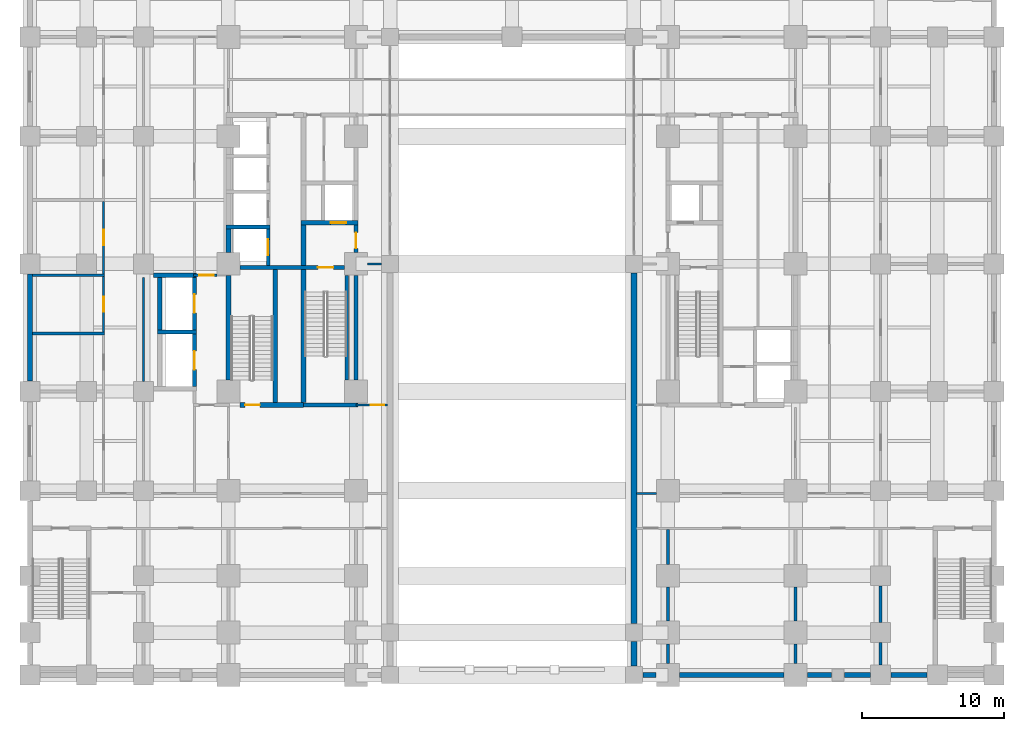
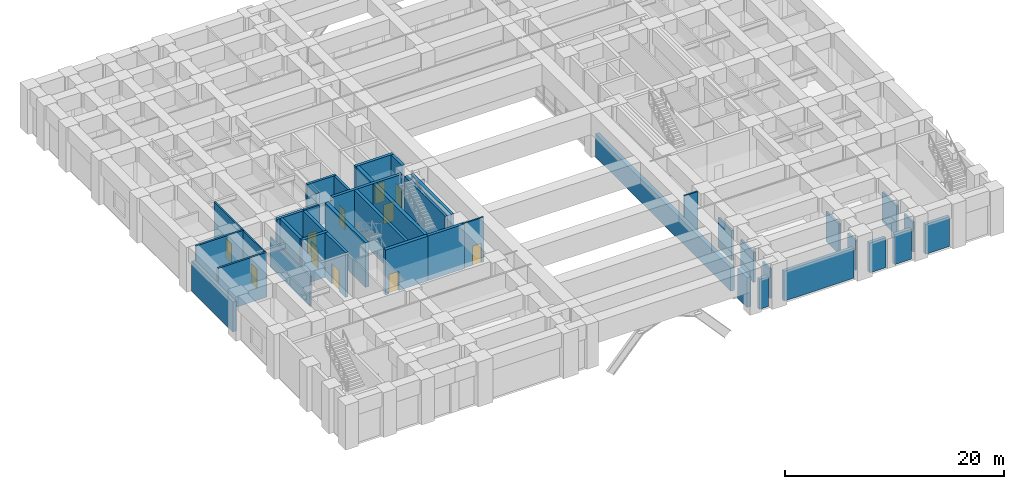
# One storey, part 12 of 24: 43 walls, 11 doors, 11 openings.
"""IFC4 building model written with IfcOpenShell, lengths in metres."""

from ifc_helpers import new_model, si_unit, direction, frame, frame_2d, origin, place, context, subcontext, project, spatial, rectangle, extrude, material, layer, layer_set, type_object, element, fill, save


model = new_model("IFC4")

# Units and contexts
model_context = context("Model", 3, precision=1e-05, world=origin(), true_north=direction((0.0, 1.0)))
body_context = subcontext(model_context, "Body", "Model", "MODEL_VIEW")
ifc_project = project(units=[si_unit("LENGTHUNIT", "METRE"), si_unit("AREAUNIT", "SQUARE_METRE"), si_unit("VOLUMEUNIT", "CUBIC_METRE"), si_unit("PLANEANGLEUNIT", "RADIAN"), si_unit("MASSUNIT", "GRAM", prefix="KILO")], contexts=[model_context])

# Site, building, storey
site_placement = place(None, origin())
site = spatial("IfcSite", under=ifc_project, at=site_placement, CompositionType="ELEMENT")
building_placement = place(site_placement, origin())
building = spatial("IfcBuilding", under=site, at=building_placement, Name="Zulmaris Gate Convention Tower", CompositionType="ELEMENT")
storey_placement = place(building_placement, frame((0.0, 0.0, 16.320068359375)))
storey = spatial("IfcBuildingStorey", under=building, at=storey_placement, Name="L03", CompositionType="ELEMENT", Elevation=16.320068359375)

# Wall
ifc_material_1 = material(Name="Concrete C50/60", Category="concrete")
ifc_layer_1 = layer(ifc_material_1, 0.25, Name="Concrete C50/60")
ifc_layer_set_1 = layer_set([ifc_layer_1], Name="Concrete C50/60")
wall_type_1 = type_object("IfcWallType", Name="CORE-250", PredefinedType="SOLIDWALL", material=ifc_layer_set_1)
wall_1_placement = place(storey_placement, frame((-20.175048828125, 2.60009765625, 0.0), z_axis=(0.0, 0.0, 1.0), x_axis=(1.0, 0.0, 0.0)))
element("IfcWall", 1, at=wall_1_placement, inside=storey, type_object=wall_type_1, Name="WL-L03-016", PredefinedType="SOLIDWALL", context=body_context, shape_type="SweptSolid", body=[
    extrude(rectangle(XDim=3.10009765625, YDim=0.25, at=frame_2d((1.550048828125, 0.0))), origin(), (0.0, 0.0, 1.0), 4.989990234375),
])

# Wall, opening, door
wall_2_placement = place(storey_placement, frame((-17.199951171875, -0.097900390625, 0.0), z_axis=(0.0, 0.0, 1.0), x_axis=(0.0, 1.0, 0.0)))
wall_2 = element("IfcWall", 2, at=wall_2_placement, inside=storey, type_object=wall_type_1, Name="WL-L03-078", PredefinedType="SOLIDWALL", context=body_context, shape_type="SweptSolid", body=[
    extrude(rectangle(XDim=2.57080078125, YDim=0.25, at=frame_2d((1.285400390625, 0.0))), origin(), (0.0, 0.0, 1.0), 4.989990234375),
])
opening_1_placement = place(wall_2_placement, frame((0.722900390625, 0.0, 0.0)))
opening_1 = element("IfcOpeningElement", 3, at=opening_1_placement, cuts=wall_2, Name="Opening D-06", PredefinedType="OPENING", context=body_context, shape_type="SweptSolid", body=[
    extrude(rectangle(XDim=1.10009765625, YDim=2.199951171875, at=frame_2d((0.550048828125, 1.10009765625))), frame((0.0, 0.135009765625, 0.0), z_axis=(0.0, -1.0, 0.0), x_axis=(1.0, 0.0, 0.0)), (0.0, 0.0, 1.0), 0.27001953125),
])
ifc_material_2 = material(Name="Brushed Stainless Steel", Category="steel")
door_type_1 = type_object("IfcDoorType", Name="LD-1100", OperationType="NOTDEFINED", PredefinedType="DOOR", material=ifc_material_2)
door_1_placement = place(opening_1_placement, origin())
door_1 = element("IfcDoor", 4, at=door_1_placement, inside=storey, type_object=door_type_1, Name="L03 Lift Landing Door LP-01 12", OperationType="SLIDING_TO_LEFT", OverallHeight=2.199951171875, OverallWidth=1.10009765625, PredefinedType="DOOR", context=body_context, shape_type="SweptSolid", body=[
    extrude(rectangle(XDim=1.10009765625, YDim=2.199951171875, at=frame_2d((0.550048828125, 1.10009765625))), frame((0.0, 0.02490234375, 0.0), z_axis=(0.0, -1.0, 0.0), x_axis=(1.0, 0.0, 0.0)), (0.0, 0.0, 1.0), 0.050048828125),
])
fill(opening_1, door_1)

# Walls
wall_3_placement = place(storey_placement, frame((-11.64990234375, -8.196044921875, 0.0), z_axis=(0.0, 0.0, 1.0), x_axis=(0.0, 1.0, 0.0)))
element("IfcWall", 5, at=wall_3_placement, inside=storey, type_object=wall_type_1, Name="WL-L03-088", PredefinedType="SOLIDWALL", context=body_context, shape_type="SweptSolid", body=[
    extrude(rectangle(XDim=7.39208984375, YDim=0.25, at=frame_2d((3.696044921875, 0.0))), origin(), (0.0, 0.0, 1.0), 4.989990234375),
])
ifc_layer_2 = layer(ifc_material_1, 0.300048828125, Name="Concrete C50/60")
ifc_layer_set_2 = layer_set([ifc_layer_2], Name="Concrete C50/60")
wall_type_2 = type_object("IfcWallType", Name="CORE-300", PredefinedType="SHEAR", material=ifc_layer_set_2)
wall_4_placement = place(storey_placement, frame((-14.699951171875, -9.949951171875, 0.0), z_axis=(0.0, 0.0, 1.0), x_axis=(1.0, 0.0, 0.0)))
element("IfcWall", 6, at=wall_4_placement, inside=storey, type_object=wall_type_2, Name="WL-L03-006", PredefinedType="SHEAR", context=body_context, shape_type="SweptSolid", body=[
    extrude(rectangle(XDim=3.849853515625, YDim=0.300048828125, at=frame_2d((1.9248046875, 0.0))), origin(), (0.0, 0.0, 1.0), 4.989990234375),
])
wall_5_placement = place(storey_placement, frame((-25.0, -4.800048828125, 0.0), z_axis=(0.0, 0.0, 1.0), x_axis=(1.0, 0.0, 0.0)))
element("IfcWall", 7, at=wall_5_placement, inside=storey, type_object=wall_type_2, Name="WL-L03-011", PredefinedType="SHEAR", context=body_context, shape_type="SweptSolid", body=[
    extrude(rectangle(XDim=2.75, YDim=0.300048828125, at=frame_2d((1.375, 0.0))), origin(), (0.0, 0.0, 1.0), 4.989990234375),
])
wall_6_placement = place(storey_placement, frame((-25.2958984375, -0.800048828125, 0.0), z_axis=(0.0, 0.0, 1.0), x_axis=(1.0, 0.0, 0.0)))
element("IfcWall", 8, at=wall_6_placement, inside=storey, type_object=wall_type_2, Name="WL-L03-013", PredefinedType="SHEAR", context=body_context, shape_type="SweptSolid", body=[
    extrude(rectangle(XDim=3.0458984375, YDim=0.300048828125, at=frame_2d((1.52294921875, 0.0))), origin(), (0.0, 0.0, 1.0), 4.989990234375),
])

# Wall, opening, door
wall_7_placement = place(storey_placement, frame((-19.196044921875, -0.25, 0.0), z_axis=(0.0, 0.0, 1.0), x_axis=(1.0, 0.0, 0.0)))
wall_7 = element("IfcWall", 9, at=wall_7_placement, inside=storey, type_object=wall_type_2, Name="WL-L03-014", PredefinedType="SHEAR", context=body_context, shape_type="SweptSolid", body=[
    extrude(rectangle(XDim=7.39208984375, YDim=0.300048828125, at=frame_2d((3.696044921875, 0.0))), origin(), (0.0, 0.0, 1.0), 4.989990234375),
])
opening_2_placement = place(wall_7_placement, frame((5.49609375, 0.0, 0.0)))
opening_2 = element("IfcOpeningElement", 10, at=opening_2_placement, cuts=wall_7, Name="Opening D-08", PredefinedType="OPENING", context=body_context, shape_type="SweptSolid", body=[
    extrude(rectangle(XDim=1.10009765625, YDim=2.14990234375, at=frame_2d((0.550048828125, 1.074951171875))), frame((0.0, 0.16015625, 0.0), z_axis=(0.0, -1.0, 0.0), x_axis=(1.0, 0.0, 0.0)), (0.0, 0.0, 1.0), 0.320068359375),
])
ifc_material_3 = material(Name="Fire-Rated Steel", Category="steel")
door_type_2 = type_object("IfcDoorType", Name="DR-1100-FD", OperationType="NOTDEFINED", PredefinedType="DOOR", material=ifc_material_3)
door_2_placement = place(opening_2_placement, origin())
door_2 = element("IfcDoor", 11, at=door_2_placement, inside=storey, type_object=door_type_2, Name="L03 Exit Stair ST-1 Door 01", OperationType="SINGLE_SWING_LEFT", OverallHeight=2.14990234375, OverallWidth=1.10009765625, PredefinedType="DOOR", context=body_context, shape_type="SweptSolid", body=[
    extrude(rectangle(XDim=1.10009765625, YDim=2.14990234375, at=frame_2d((0.550048828125, 1.074951171875))), frame((0.0, 0.02490234375, 0.0), z_axis=(0.0, -1.0, 0.0), x_axis=(1.0, 0.0, 0.0)), (0.0, 0.0, 1.0), 0.050048828125),
])
fill(opening_2, door_2)

wall_8_placement = place(storey_placement, frame((-14.875, 2.89990234375, 0.0), z_axis=(0.0, 0.0, 1.0), x_axis=(1.0, 0.0, 0.0)))
wall_8 = element("IfcWall", 12, at=wall_8_placement, inside=storey, type_object=wall_type_2, Name="WL-L03-017", PredefinedType="SHEAR", context=body_context, shape_type="SweptSolid", body=[
    extrude(rectangle(XDim=4.02490234375, YDim=0.300048828125, at=frame_2d((2.012451171875, 0.0))), origin(), (0.0, 0.0, 1.0), 4.989990234375),
])
opening_3_placement = place(wall_8_placement, frame((2.074951171875, 0.0, 0.0)))
opening_3 = element("IfcOpeningElement", 13, at=opening_3_placement, cuts=wall_8, Name="Opening D-06", PredefinedType="OPENING", context=body_context, shape_type="SweptSolid", body=[
    extrude(rectangle(XDim=1.10009765625, YDim=2.199951171875, at=frame_2d((0.550048828125, 1.10009765625))), frame((0.0, 0.16015625, 0.0), z_axis=(0.0, -1.0, 0.0), x_axis=(1.0, 0.0, 0.0)), (0.0, 0.0, 1.0), 0.320068359375),
])
door_3_placement = place(opening_3_placement, origin())
door_3 = element("IfcDoor", 14, at=door_3_placement, inside=storey, type_object=door_type_1, Name="L03 Lift Landing Door LF-01 03", OperationType="SLIDING_TO_LEFT", OverallHeight=2.199951171875, OverallWidth=1.10009765625, PredefinedType="DOOR", context=body_context, shape_type="SweptSolid", body=[
    extrude(rectangle(XDim=1.10009765625, YDim=2.199951171875, at=frame_2d((0.550048828125, 1.10009765625))), frame((0.0, 0.02490234375, 0.0), z_axis=(0.0, -1.0, 0.0), x_axis=(1.0, 0.0, 0.0)), (0.0, 0.0, 1.0), 0.050048828125),
])
fill(opening_3, door_3)

# Wall
wall_9_placement = place(storey_placement, frame((-24.85009765625, -4.64794921875, 0.0), z_axis=(0.0, 0.0, 1.0), x_axis=(0.0, 1.0, 0.0)))
element("IfcWall", 15, at=wall_9_placement, inside=storey, type_object=wall_type_2, Name="WL-L03-070", PredefinedType="SHEAR", context=body_context, shape_type="SweptSolid", body=[
    extrude(rectangle(XDim=3.696044921875, YDim=0.300048828125, at=frame_2d((1.84814453125, 0.0))), origin(), (0.0, 0.0, 1.0), 4.989990234375),
])

# Wall, opening, door
wall_10_placement = place(storey_placement, frame((-22.39990234375, -8.64794921875, 0.0), z_axis=(0.0, 0.0, 1.0), x_axis=(0.0, 1.0, 0.0)))
wall_10 = element("IfcWall", 16, at=wall_10_placement, inside=storey, type_object=wall_type_2, Name="WL-L03-071", PredefinedType="SHEAR", context=body_context, shape_type="SweptSolid", body=[
    extrude(rectangle(XDim=3.696044921875, YDim=0.300048828125, at=frame_2d((1.84814453125, 0.0))), origin(), (0.0, 0.0, 1.0), 4.989990234375),
])
opening_4_placement = place(wall_10_placement, frame((1.197998046875, 0.0, 0.0)))
opening_4 = element("IfcOpeningElement", 17, at=opening_4_placement, cuts=wall_10, Name="Opening D-07", PredefinedType="OPENING", context=body_context, shape_type="SweptSolid", body=[
    extrude(rectangle(XDim=1.300048828125, YDim=2.300048828125, at=frame_2d((0.64990234375, 1.14990234375))), frame((0.0, 0.16015625, 0.0), z_axis=(0.0, -1.0, 0.0), x_axis=(1.0, 0.0, 0.0)), (0.0, 0.0, 1.0), 0.320068359375),
])
ifc_material_4 = material(Name="Heavy-Duty Brushed Stainless Steel", Category="steel")
door_type_3 = type_object("IfcDoorType", Name="LD-1300", OperationType="NOTDEFINED", PredefinedType="DOOR", material=ifc_material_4)
door_4_placement = place(opening_4_placement, origin())
door_4 = element("IfcDoor", 18, at=door_4_placement, inside=storey, type_object=door_type_3, Name="L03 Goods Lift Door GL-01 20", OperationType="SLIDING_TO_LEFT", OverallHeight=2.300048828125, OverallWidth=1.300048828125, PredefinedType="DOOR", context=body_context, shape_type="SweptSolid", body=[
    extrude(rectangle(XDim=1.300048828125, YDim=2.300048828125, at=frame_2d((0.64990234375, 1.14990234375))), frame((0.0, 0.02490234375, 0.0), z_axis=(0.0, -1.0, 0.0), x_axis=(1.0, 0.0, 0.0)), (0.0, 0.0, 1.0), 0.050048828125),
])
fill(opening_4, door_4)

wall_11_placement = place(storey_placement, frame((-22.39990234375, -4.64794921875, 0.0), z_axis=(0.0, 0.0, 1.0), x_axis=(0.0, 1.0, 0.0)))
wall_11 = element("IfcWall", 19, at=wall_11_placement, inside=storey, type_object=wall_type_2, Name="WL-L03-072", PredefinedType="SHEAR", context=body_context, shape_type="SweptSolid", body=[
    extrude(rectangle(XDim=3.696044921875, YDim=0.300048828125, at=frame_2d((1.84814453125, 0.0))), origin(), (0.0, 0.0, 1.0), 4.989990234375),
])
opening_5_placement = place(wall_11_placement, frame((1.197998046875, 0.0, 0.0)))
opening_5 = element("IfcOpeningElement", 20, at=opening_5_placement, cuts=wall_11, Name="Opening D-07", PredefinedType="OPENING", context=body_context, shape_type="SweptSolid", body=[
    extrude(rectangle(XDim=1.300048828125, YDim=2.300048828125, at=frame_2d((0.64990234375, 1.14990234375))), frame((0.0, 0.16015625, 0.0), z_axis=(0.0, -1.0, 0.0), x_axis=(1.0, 0.0, 0.0)), (0.0, 0.0, 1.0), 0.320068359375),
])
door_5_placement = place(opening_5_placement, origin())
door_5 = element("IfcDoor", 21, at=door_5_placement, inside=storey, type_object=door_type_3, Name="L03 Goods Lift Door GL-02 21", OperationType="SLIDING_TO_LEFT", OverallHeight=2.300048828125, OverallWidth=1.300048828125, PredefinedType="DOOR", context=body_context, shape_type="SweptSolid", body=[
    extrude(rectangle(XDim=1.300048828125, YDim=2.300048828125, at=frame_2d((0.64990234375, 1.14990234375))), frame((0.0, 0.02490234375, 0.0), z_axis=(0.0, -1.0, 0.0), x_axis=(1.0, 0.0, 0.0)), (0.0, 0.0, 1.0), 0.050048828125),
])
fill(opening_5, door_5)

# Walls
wall_12_placement = place(storey_placement, frame((-16.699951171875, -9.77294921875, 0.0), z_axis=(0.0, 0.0, 1.0), x_axis=(0.0, 1.0, 0.0)))
element("IfcWall", 22, at=wall_12_placement, inside=storey, type_object=wall_type_2, Name="WL-L03-082", PredefinedType="SHEAR", context=body_context, shape_type="SweptSolid", body=[
    extrude(rectangle(XDim=9.370849609375, YDim=0.300048828125, at=frame_2d((4.685546875, 0.0))), origin(), (0.0, 0.0, 1.0), 4.989990234375),
])
wall_13_placement = place(storey_placement, frame((-11.0, -8.196044921875, 0.0), z_axis=(0.0, 0.0, 1.0), x_axis=(0.0, 1.0, 0.0)))
element("IfcWall", 23, at=wall_13_placement, inside=storey, type_object=wall_type_2, Name="WL-L03-089", PredefinedType="SHEAR", context=body_context, shape_type="SweptSolid", body=[
    extrude(rectangle(XDim=7.39208984375, YDim=0.300048828125, at=frame_2d((3.696044921875, 0.0))), origin(), (0.0, 0.0, 1.0), 4.989990234375),
])

# Wall, opening, door
wall_14_placement = place(storey_placement, frame((-11.0, 0.803955078125, 0.0), z_axis=(0.0, 0.0, 1.0), x_axis=(0.0, 1.0, 0.0)))
wall_14 = element("IfcWall", 24, at=wall_14_placement, inside=storey, type_object=wall_type_2, Name="WL-L03-090", PredefinedType="SHEAR", context=body_context, shape_type="SweptSolid", body=[
    extrude(rectangle(XDim=1.944091796875, YDim=0.300048828125, at=frame_2d((0.97216796875, 0.0))), origin(), (0.0, 0.0, 1.0), 4.989990234375),
])
opening_6_placement = place(wall_14_placement, frame((0.2958984375, 0.0, 0.0)))
opening_6 = element("IfcOpeningElement", 25, at=opening_6_placement, cuts=wall_14, Name="Opening D-08", PredefinedType="OPENING", context=body_context, shape_type="SweptSolid", body=[
    extrude(rectangle(XDim=1.10009765625, YDim=2.14990234375, at=frame_2d((0.550048828125, 1.074951171875))), frame((0.0, 0.16015625, 0.0), z_axis=(0.0, -1.0, 0.0), x_axis=(1.0, 0.0, 0.0)), (0.0, 0.0, 1.0), 0.320068359375),
])
door_6_placement = place(opening_6_placement, origin())
door_6 = element("IfcDoor", 26, at=door_6_placement, inside=storey, type_object=door_type_2, Name="L03 West Firefighting Lobby Door 02", OperationType="SINGLE_SWING_RIGHT", OverallHeight=2.14990234375, OverallWidth=1.10009765625, PredefinedType="DOOR", context=body_context, shape_type="SweptSolid", body=[
    extrude(rectangle(XDim=1.10009765625, YDim=2.14990234375, at=frame_2d((0.550048828125, 1.074951171875))), frame((0.0, 0.02490234375, 0.0), z_axis=(0.0, -1.0, 0.0), x_axis=(1.0, 0.0, 0.0)), (0.0, 0.0, 1.0), 0.050048828125),
])
fill(opening_6, door_6)

ifc_material_5 = material(Name="Concrete C55/67", Category="concrete")
ifc_layer_3 = layer(ifc_material_5, 0.35009765625, Name="Concrete C55/67")
ifc_layer_set_3 = layer_set([ifc_layer_3], Name="Concrete C55/67")
wall_type_3 = type_object("IfcWallType", Name="CORE-350", PredefinedType="SHEAR", material=ifc_layer_set_3)
wall_15_placement = place(storey_placement, frame((-19.196044921875, -9.949951171875, 0.0), z_axis=(0.0, 0.0, 1.0), x_axis=(1.0, 0.0, 0.0)))
wall_15 = element("IfcWall", 27, at=wall_15_placement, inside=storey, type_object=wall_type_3, Name="WL-L03-005", PredefinedType="SHEAR", context=body_context, shape_type="SweptSolid", body=[
    extrude(rectangle(XDim=4.49609375, YDim=0.35009765625, at=frame_2d((2.248046875, 0.0))), origin(), (0.0, 0.0, 1.0), 4.989990234375),
])
opening_7_placement = place(wall_15_placement, frame((0.37109375, 0.0, 0.0)))
opening_7 = element("IfcOpeningElement", 28, at=opening_7_placement, cuts=wall_15, Name="Opening D-09", PredefinedType="OPENING", context=body_context, shape_type="SweptSolid", body=[
    extrude(rectangle(XDim=1.050048828125, YDim=2.14990234375, at=frame_2d((0.52490234375, 1.074951171875))), frame((0.0, 0.18505859375, 0.0), z_axis=(0.0, -1.0, 0.0), x_axis=(1.0, 0.0, 0.0)), (0.0, 0.0, 1.0), 0.3701171875),
])
door_type_4 = type_object("IfcDoorType", Name="DR-1050-FD", OperationType="NOTDEFINED", PredefinedType="DOOR", material=ifc_material_3)
door_7_placement = place(opening_7_placement, origin())
door_7 = element("IfcDoor", 29, at=door_7_placement, inside=storey, type_object=door_type_4, Name="L03 Exit Stair ST-3 Door 10", OperationType="SINGLE_SWING_RIGHT", OverallHeight=2.14990234375, OverallWidth=1.050048828125, PredefinedType="DOOR", context=body_context, shape_type="SweptSolid", body=[
    extrude(rectangle(XDim=1.050048828125, YDim=2.14990234375, at=frame_2d((0.52490234375, 1.074951171875))), frame((0.0, 0.02490234375, 0.0), z_axis=(0.0, -1.0, 0.0), x_axis=(1.0, 0.0, 0.0)), (0.0, 0.0, 1.0), 0.050048828125),
])
fill(opening_7, door_7)

# Walls
wall_16_placement = place(storey_placement, frame((-20.0, -8.196044921875, 0.0), z_axis=(0.0, 0.0, 1.0), x_axis=(0.0, 1.0, 0.0)))
element("IfcWall", 30, at=wall_16_placement, inside=storey, type_object=wall_type_3, Name="WL-L03-073", PredefinedType="SHEAR", context=body_context, shape_type="SweptSolid", body=[
    extrude(rectangle(XDim=7.39208984375, YDim=0.35009765625, at=frame_2d((3.696044921875, 0.0))), origin(), (0.0, 0.0, 1.0), 4.989990234375),
])
wall_17_placement = place(storey_placement, frame((-20.0, 0.803955078125, 0.0), z_axis=(0.0, 0.0, 1.0), x_axis=(0.0, 1.0, 0.0)))
element("IfcWall", 31, at=wall_17_placement, inside=storey, type_object=wall_type_3, Name="WL-L03-074", PredefinedType="SHEAR", context=body_context, shape_type="SweptSolid", body=[
    extrude(rectangle(XDim=1.6689453125, YDim=0.35009765625, at=frame_2d((0.83447265625, 0.0))), origin(), (0.0, 0.0, 1.0), 4.989990234375),
])
wall_18_placement = place(storey_placement, frame((-14.699951171875, -9.77294921875, 0.0), z_axis=(0.0, 0.0, 1.0), x_axis=(0.0, 1.0, 0.0)))
element("IfcWall", 32, at=wall_18_placement, inside=storey, type_object=wall_type_3, Name="WL-L03-083", PredefinedType="SHEAR", context=body_context, shape_type="SweptSolid", body=[
    extrude(rectangle(XDim=9.370849609375, YDim=0.35009765625, at=frame_2d((4.685546875, 0.0))), origin(), (0.0, 0.0, 1.0), 4.989990234375),
])
wall_19_placement = place(storey_placement, frame((-14.699951171875, -0.097900390625, 0.0), z_axis=(0.0, 0.0, 1.0), x_axis=(0.0, 1.0, 0.0)))
element("IfcWall", 33, at=wall_19_placement, inside=storey, type_object=wall_type_3, Name="WL-L03-084", PredefinedType="SHEAR", context=body_context, shape_type="SweptSolid", body=[
    extrude(rectangle(XDim=2.845947265625, YDim=0.35009765625, at=frame_2d((1.4228515625, 0.0))), origin(), (0.0, 0.0, 1.0), 4.989990234375),
])
ifc_material_6 = material(Name="Gypsum Metal Stud Partition")
ifc_layer_4 = layer(ifc_material_6, 0.14990234375, Name="Gypsum Metal Stud Partition")
ifc_layer_set_4 = layer_set([ifc_layer_4], Name="Gypsum Metal Stud Partition")
wall_type_4 = type_object("IfcWallType", Name="PART-150", PredefinedType="PARTITIONING", material=ifc_layer_set_4)
wall_20_placement = place(storey_placement, frame((8.764892578125, -16.199951171875, 0.0), z_axis=(0.0, 0.0, 1.0), x_axis=(1.0, 0.0, 0.0)))
element("IfcWall", 34, at=wall_20_placement, inside=storey, type_object=wall_type_4, Name="WL-L03-033", PredefinedType="PARTITIONING", context=body_context, shape_type="SweptSolid", body=[
    extrude(rectangle(XDim=1.42919921875, YDim=0.14990234375, at=frame_2d((0.714599609375, 0.0))), origin(), (0.0, 0.0, 1.0), 4.989990234375),
])

# Wall, opening, door
wall_21_placement = place(storey_placement, frame((-11.0, -9.949951171875, 0.0), z_axis=(0.0, 0.0, 1.0), x_axis=(1.0, 0.0, 0.0)))
wall_21 = element("IfcWall", 35, at=wall_21_placement, inside=storey, type_object=wall_type_4, Name="WL-L03-035", PredefinedType="PARTITIONING", context=body_context, shape_type="SweptSolid", body=[
    extrude(rectangle(XDim=2.235107421875, YDim=0.14990234375, at=frame_2d((1.11767578125, 0.0))), origin(), (0.0, 0.0, 1.0), 4.989990234375),
])
opening_8_placement = place(wall_21_placement, frame((1.044921875, 0.0, 0.0)))
opening_8 = element("IfcOpeningElement", 36, at=opening_8_placement, cuts=wall_21, Name="Opening D-11", PredefinedType="OPENING", context=body_context, shape_type="SweptSolid", body=[
    extrude(rectangle(XDim=0.949951171875, YDim=2.14990234375, at=frame_2d((0.47509765625, 1.074951171875))), frame((0.0, 0.0849609375, 0.0), z_axis=(0.0, -1.0, 0.0), x_axis=(1.0, 0.0, 0.0)), (0.0, 0.0, 1.0), 0.169921875),
])
ifc_material_7 = material(Name="Fire-Rated Timber", Category="wood")
door_type_5 = type_object("IfcDoorType", Name="DR-950-FD", OperationType="NOTDEFINED", PredefinedType="DOOR", material=ifc_material_7)
door_8_placement = place(opening_8_placement, origin())
door_8 = element("IfcDoor", 37, at=door_8_placement, inside=storey, type_object=door_type_5, Name="L03 SW Arch Store Door 26", OperationType="SINGLE_SWING_RIGHT", OverallHeight=2.14990234375, OverallWidth=0.949951171875, PredefinedType="DOOR", context=body_context, shape_type="SweptSolid", body=[
    extrude(rectangle(XDim=0.949951171875, YDim=2.14990234375, at=frame_2d((0.47509765625, 1.074951171875))), frame((0.0, 0.02490234375, 0.0), z_axis=(0.0, -1.0, 0.0), x_axis=(1.0, 0.0, 0.0)), (0.0, 0.0, 1.0), 0.050048828125),
])
fill(opening_8, door_8)

# Wall
wall_22_placement = place(storey_placement, frame((-10.194091796875, 0.0, 0.0), z_axis=(0.0, 0.0, 1.0), x_axis=(1.0, 0.0, 0.0)))
element("IfcWall", 38, at=wall_22_placement, inside=storey, type_object=wall_type_4, Name="WL-L03-044", PredefinedType="PARTITIONING", context=body_context, shape_type="SweptSolid", body=[
    extrude(rectangle(XDim=0.988037109375, YDim=0.14990234375, at=frame_2d((0.494140625, 0.0))), origin(), (0.0, 0.0, 1.0), 3.33203125),
])

# Wall, opening, door
wall_23_placement = place(storey_placement, frame((-28.800048828125, -4.797119140625, 0.0), z_axis=(0.0, 0.0, 1.0), x_axis=(0.0, 1.0, 0.0)))
wall_23 = element("IfcWall", 39, at=wall_23_placement, inside=storey, type_object=wall_type_4, Name="WL-L03-113", PredefinedType="PARTITIONING", context=body_context, shape_type="SweptSolid", body=[
    extrude(rectangle(XDim=3.89404296875, YDim=0.14990234375, at=frame_2d((1.947021484375, 0.0))), origin(), (0.0, 0.0, 1.0), 4.989990234375),
])
opening_9_placement = place(wall_23_placement, frame((1.422119140625, 0.0, 0.0)))
opening_9 = element("IfcOpeningElement", 40, at=opening_9_placement, cuts=wall_23, Name="Opening D-09", PredefinedType="OPENING", context=body_context, shape_type="SweptSolid", body=[
    extrude(rectangle(XDim=1.050048828125, YDim=2.14990234375, at=frame_2d((0.52490234375, 1.074951171875))), frame((0.0, 0.0849609375, 0.0), z_axis=(0.0, -1.0, 0.0), x_axis=(1.0, 0.0, 0.0)), (0.0, 0.0, 1.0), 0.169921875),
])
door_9_placement = place(opening_9_placement, origin())
door_9 = element("IfcDoor", 41, at=door_9_placement, inside=storey, type_object=door_type_4, Name="L03 SW Workshop WL3 Door 67", OperationType="SINGLE_SWING_LEFT", OverallHeight=2.14990234375, OverallWidth=1.050048828125, PredefinedType="DOOR", context=body_context, shape_type="SweptSolid", body=[
    extrude(rectangle(XDim=1.050048828125, YDim=2.14990234375, at=frame_2d((0.52490234375, 1.074951171875))), frame((0.0, 0.02490234375, 0.0), z_axis=(0.0, -1.0, 0.0), x_axis=(1.0, 0.0, 0.0)), (0.0, 0.0, 1.0), 0.050048828125),
])
fill(opening_9, door_9)

wall_24_placement = place(storey_placement, frame((-28.800048828125, -0.697021484375, 0.0), z_axis=(0.0, 0.0, 1.0), x_axis=(0.0, 1.0, 0.0)))
wall_24 = element("IfcWall", 42, at=wall_24_placement, inside=storey, type_object=wall_type_4, Name="WL-L03-114", PredefinedType="PARTITIONING", context=body_context, shape_type="SweptSolid", body=[
    extrude(rectangle(XDim=5.093994140625, YDim=0.14990234375, at=frame_2d((2.546875, 0.0))), origin(), (0.0, 0.0, 1.0), 4.989990234375),
])
opening_10_placement = place(wall_24_placement, frame((1.9970703125, 0.0, 0.0)))
opening_10 = element("IfcOpeningElement", 43, at=opening_10_placement, cuts=wall_24, Name="Opening D-08", PredefinedType="OPENING", context=body_context, shape_type="SweptSolid", body=[
    extrude(rectangle(XDim=1.10009765625, YDim=2.14990234375, at=frame_2d((0.550048828125, 1.074951171875))), frame((0.0, 0.0849609375, 0.0), z_axis=(0.0, -1.0, 0.0), x_axis=(1.0, 0.0, 0.0)), (0.0, 0.0, 1.0), 0.169921875),
])
door_10_placement = place(opening_10_placement, origin())
door_10 = element("IfcDoor", 44, at=door_10_placement, inside=storey, type_object=door_type_2, Name="L03 West Room WU1 Door 68", OperationType="SINGLE_SWING_RIGHT", OverallHeight=2.14990234375, OverallWidth=1.10009765625, PredefinedType="DOOR", context=body_context, shape_type="SweptSolid", body=[
    extrude(rectangle(XDim=1.10009765625, YDim=2.14990234375, at=frame_2d((0.550048828125, 1.074951171875))), frame((0.0, 0.02490234375, 0.0), z_axis=(0.0, -1.0, 0.0), x_axis=(1.0, 0.0, 0.0)), (0.0, 0.0, 1.0), 0.050048828125),
])
fill(opening_10, door_10)

# Walls
wall_25_placement = place(storey_placement, frame((-26.0, -8.2939453125, 0.0), z_axis=(0.0, 0.0, 1.0), x_axis=(0.0, 1.0, 0.0)))
element("IfcWall", 45, at=wall_25_placement, inside=storey, type_object=wall_type_4, Name="WL-L03-120", PredefinedType="PARTITIONING", context=body_context, shape_type="SweptSolid", body=[
    extrude(rectangle(XDim=7.341064453125, YDim=0.14990234375, at=frame_2d((3.67041015625, 0.0))), origin(), (0.0, 0.0, 1.0), 3.33203125),
])
ifc_material_8 = material(Name="Autoclaved Aerated Concrete Block and Plasterboard", Category="concrete")
ifc_layer_5 = layer(ifc_material_8, 0.199951171875, Name="Autoclaved Aerated Concrete Block and Plasterboard")
ifc_layer_set_5 = layer_set([ifc_layer_5], Name="Autoclaved Aerated Concrete Block and Plasterboard")
wall_type_5 = type_object("IfcWallType", Name="PART-200", PredefinedType="PARTITIONING", material=ifc_layer_set_5)
for number, where, z_axis, x_axis, name in (
    (46, (-33.8349609375, -4.89990234375, 0.0), (0.0, 0.0, 1.0), (1.0, 0.0, 0.0), "WL-L03-040"),
    (47, (-33.8349609375, -0.800048828125, 0.0), (0.0, 0.0, 1.0), (1.0, 0.0, 0.0), "WL-L03-042"),
):
    element("IfcWall", number, at=place(storey_placement, frame(where, z_axis=z_axis, x_axis=x_axis)), inside=storey, type_object=wall_type_5, Name=name, PredefinedType="PARTITIONING", context=body_context, shape_type="SweptSolid", body=[
        extrude(rectangle(XDim=5.10986328125, YDim=0.199951171875, at=frame_2d((2.554931640625, 0.0))), origin(), (0.0, 0.0, 1.0), 4.989990234375),
    ])

# Wall, opening, door
wall_26_placement = place(storey_placement, frame((-22.47509765625, -0.800048828125, 0.0), z_axis=(0.0, 0.0, 1.0), x_axis=(1.0, 0.0, 0.0)))
wall_26 = element("IfcWall", 48, at=wall_26_placement, inside=storey, type_object=wall_type_5, Name="WL-L03-043", PredefinedType="PARTITIONING", context=body_context, shape_type="SweptSolid", body=[
    extrude(rectangle(XDim=1.669189453125, YDim=0.199951171875, at=frame_2d((0.83447265625, 0.0))), origin(), (0.0, 0.0, 1.0), 4.989990234375),
])
opening_11_placement = place(wall_26_placement, frame((0.425048828125, 0.0, 0.0)))
opening_11 = element("IfcOpeningElement", 49, at=opening_11_placement, cuts=wall_26, Name="Opening D-10", PredefinedType="OPENING", context=body_context, shape_type="SweptSolid", body=[
    extrude(rectangle(XDim=1.0, YDim=2.14990234375, at=frame_2d((0.5, 1.074951171875))), frame((0.0, 0.10986328125, 0.0), z_axis=(0.0, -1.0, 0.0), x_axis=(1.0, 0.0, 0.0)), (0.0, 0.0, 1.0), 0.219970703125),
])
door_type_6 = type_object("IfcDoorType", Name="DR-1000-FD", OperationType="NOTDEFINED", PredefinedType="DOOR", material=ifc_material_7)
door_11_placement = place(opening_11_placement, origin())
door_11 = element("IfcDoor", 50, at=door_11_placement, inside=storey, type_object=door_type_6, Name="L03 Goods Lobby Door 22", OperationType="SINGLE_SWING_RIGHT", OverallHeight=2.14990234375, OverallWidth=1.0, PredefinedType="DOOR", context=body_context, shape_type="SweptSolid", body=[
    extrude(rectangle(XDim=1.0, YDim=2.14990234375, at=frame_2d((0.5, 1.074951171875))), frame((0.0, 0.02490234375, 0.0), z_axis=(0.0, -1.0, 0.0), x_axis=(1.0, 0.0, 0.0)), (0.0, 0.0, 1.0), 0.050048828125),
])
fill(opening_11, door_11)

# Walls
wall_27_placement = place(storey_placement, frame((11.0, -28.194091796875, 0.0), z_axis=(0.0, 0.0, 1.0), x_axis=(0.0, 1.0, 0.0)))
element("IfcWall", 51, at=wall_27_placement, inside=storey, type_object=wall_type_5, Name="WL-L03-140", PredefinedType="PARTITIONING", context=body_context, shape_type="SweptSolid", body=[
    extrude(rectangle(XDim=1.38818359375, YDim=0.199951171875, at=frame_2d((0.694091796875, 0.0))), origin(), (0.0, 0.0, 1.0), 3.33203125),
])
wall_28_placement = place(storey_placement, frame((11.0, -25.194091796875, 0.0), z_axis=(0.0, 0.0, 1.0), x_axis=(0.0, 1.0, 0.0)))
element("IfcWall", 52, at=wall_28_placement, inside=storey, type_object=wall_type_5, Name="WL-L03-140S1", PredefinedType="PARTITIONING", context=body_context, shape_type="SweptSolid", body=[
    extrude(rectangle(XDim=2.38818359375, YDim=0.199951171875, at=frame_2d((1.194091796875, 0.0))), origin(), (0.0, 0.0, 1.0), 3.33203125),
])
wall_29_placement = place(storey_placement, frame((11.0, -21.194091796875, 0.0), z_axis=(0.0, 0.0, 1.0), x_axis=(0.0, 1.0, 0.0)))
element("IfcWall", 53, at=wall_29_placement, inside=storey, type_object=wall_type_5, Name="WL-L03-140S2", PredefinedType="PARTITIONING", context=body_context, shape_type="SweptSolid", body=[
    extrude(rectangle(XDim=2.466064453125, YDim=0.199951171875, at=frame_2d((1.23291015625, 0.0))), origin(), (0.0, 0.0, 1.0), 3.33203125),
])
wall_30_placement = place(storey_placement, frame((20.0, -28.194091796875, 0.0), z_axis=(0.0, 0.0, 1.0), x_axis=(0.0, 1.0, 0.0)))
element("IfcWall", 54, at=wall_30_placement, inside=storey, type_object=wall_type_5, Name="WL-L03-146", PredefinedType="PARTITIONING", context=body_context, shape_type="SweptSolid", body=[
    extrude(rectangle(XDim=1.38818359375, YDim=0.199951171875, at=frame_2d((0.694091796875, 0.0))), origin(), (0.0, 0.0, 1.0), 3.33203125),
])
wall_31_placement = place(storey_placement, frame((20.0, -25.194091796875, 0.0), z_axis=(0.0, 0.0, 1.0), x_axis=(0.0, 1.0, 0.0)))
element("IfcWall", 55, at=wall_31_placement, inside=storey, type_object=wall_type_5, Name="WL-L03-146S1", PredefinedType="PARTITIONING", context=body_context, shape_type="SweptSolid", body=[
    extrude(rectangle(XDim=2.38818359375, YDim=0.199951171875, at=frame_2d((1.194091796875, 0.0))), origin(), (0.0, 0.0, 1.0), 3.33203125),
])
wall_32_placement = place(storey_placement, frame((26.0, -28.2939453125, 0.0), z_axis=(0.0, 0.0, 1.0), x_axis=(0.0, 1.0, 0.0)))
element("IfcWall", 56, at=wall_32_placement, inside=storey, type_object=wall_type_5, Name="WL-L03-154", PredefinedType="PARTITIONING", context=body_context, shape_type="SweptSolid", body=[
    extrude(rectangle(XDim=1.587890625, YDim=0.199951171875, at=frame_2d((0.7939453125, 0.0))), origin(), (0.0, 0.0, 1.0), 3.33203125),
])
wall_33_placement = place(storey_placement, frame((26.0, -25.2939453125, 0.0), z_axis=(0.0, 0.0, 1.0), x_axis=(0.0, 1.0, 0.0)))
element("IfcWall", 57, at=wall_33_placement, inside=storey, type_object=wall_type_5, Name="WL-L03-154S1", PredefinedType="PARTITIONING", context=body_context, shape_type="SweptSolid", body=[
    extrude(rectangle(XDim=2.587890625, YDim=0.199951171875, at=frame_2d((1.2939453125, 0.0))), origin(), (0.0, 0.0, 1.0), 3.33203125),
])
ifc_material_9 = material(Name="Precast concrete C50/60", Category="concrete")
ifc_layer_6 = layer(ifc_material_9, 0.39990234375, Name="Precast concrete C50/60")
ifc_layer_set_6 = layer_set([ifc_layer_6], Name="Precast concrete C50/60")
wall_type_6 = type_object("IfcWallType", Name="PRECAST-ARCH-400", PredefinedType="STANDARD", material=ifc_layer_set_6)
wall_34_placement = place(storey_placement, frame((8.60009765625, -0.64990234375, 0.0), z_axis=(0.0, 0.0, 1.0), x_axis=(0.0, -1.0, 0.0)))
element("IfcWall", 58, at=wall_34_placement, inside=storey, type_object=wall_type_6, Name="EW-L03-ARCH-ES_0", PredefinedType="STANDARD", context=body_context, shape_type="SweptSolid", body=[
    extrude(rectangle(XDim=24.72021484375, YDim=0.39990234375, at=frame_2d((12.360107421875, 0.0))), origin(), (0.0, 0.0, 1.0), 2.58203125),
])
wall_35_placement = place(storey_placement, frame((8.60009765625, -26.6298828125, 0.0), z_axis=(0.0, 0.0, 1.0), x_axis=(0.0, -1.0, 0.0)))
element("IfcWall", 59, at=wall_35_placement, inside=storey, type_object=wall_type_6, Name="EW-L03-ARCH-ES_1", PredefinedType="STANDARD", context=body_context, shape_type="SweptSolid", body=[
    extrude(rectangle(XDim=1.72021484375, YDim=0.39990234375, at=frame_2d((0.860107421875, 0.0))), origin(), (0.0, 0.0, 1.0), 3.33203125),
])
ifc_material_10 = material(Name="Precast concrete C45/55", Category="concrete")
ifc_layer_7 = layer(ifc_material_10, 0.35009765625, Name="Precast concrete C45/55")
ifc_layer_set_7 = layer_set([ifc_layer_7], Name="Precast concrete C45/55")
wall_type_7 = type_object("IfcWallType", Name="PRECAST-POD-350", PredefinedType="STANDARD", material=ifc_layer_set_7)
wall_36_placement = place(storey_placement, frame((9.22998046875, -29.0, 0.0), z_axis=(0.0, 0.0, 1.0), x_axis=(1.0, 0.0, 0.0)))
element("IfcWall", 60, at=wall_36_placement, inside=storey, type_object=wall_type_7, Name="EW-L03-S-86_0", PredefinedType="STANDARD", context=body_context, shape_type="SweptSolid", body=[
    extrude(rectangle(XDim=0.93994140625, YDim=0.35009765625, at=frame_2d((0.469970703125, 0.0))), origin(), (0.0, 0.0, 1.0), 3.33203125),
])
wall_37_placement = place(storey_placement, frame((11.830078125, -29.0, 0.0), z_axis=(0.0, 0.0, 1.0), x_axis=(1.0, 0.0, 0.0)))
element("IfcWall", 61, at=wall_37_placement, inside=storey, type_object=wall_type_7, Name="EW-L03-S-110_0", PredefinedType="STANDARD", context=body_context, shape_type="SweptSolid", body=[
    extrude(rectangle(XDim=7.33984375, YDim=0.35009765625, at=frame_2d((3.669921875, 0.0))), origin(), (0.0, 0.0, 1.0), 3.33203125),
])
wall_38_placement = place(storey_placement, frame((20.830078125, -29.0, 0.0), z_axis=(0.0, 0.0, 1.0), x_axis=(1.0, 0.0, 0.0)))
element("IfcWall", 62, at=wall_38_placement, inside=storey, type_object=wall_type_7, Name="EW-L03-S-200_0", PredefinedType="STANDARD", context=body_context, shape_type="SweptSolid", body=[
    extrude(rectangle(XDim=1.71484375, YDim=0.35009765625, at=frame_2d((0.857421875, 0.0))), origin(), (0.0, 0.0, 1.0), 3.33203125),
])
wall_39_placement = place(storey_placement, frame((23.455078125, -29.0, 0.0), z_axis=(0.0, 0.0, 1.0), x_axis=(1.0, 0.0, 0.0)))
element("IfcWall", 63, at=wall_39_placement, inside=storey, type_object=wall_type_7, Name="EW-L03-S-230_0", PredefinedType="STANDARD", context=body_context, shape_type="SweptSolid", body=[
    extrude(rectangle(XDim=1.81494140625, YDim=0.35009765625, at=frame_2d((0.907470703125, 0.0))), origin(), (0.0, 0.0, 1.0), 3.33203125),
])
wall_40_placement = place(storey_placement, frame((26.72998046875, -29.0, 0.0), z_axis=(0.0, 0.0, 1.0), x_axis=(1.0, 0.0, 0.0)))
element("IfcWall", 64, at=wall_40_placement, inside=storey, type_object=wall_type_7, Name="EW-L03-S-260_0", PredefinedType="STANDARD", context=body_context, shape_type="SweptSolid", body=[
    extrude(rectangle(XDim=2.5400390625, YDim=0.35009765625, at=frame_2d((1.27001953125, 0.0))), origin(), (0.0, 0.0, 1.0), 3.33203125),
])
wall_41_placement = place(storey_placement, frame((-34.0, -8.27001953125, 0.0), z_axis=(0.0, 0.0, 1.0), x_axis=(0.0, 1.0, 0.0)))
element("IfcWall", 65, at=wall_41_placement, inside=storey, type_object=wall_type_7, Name="EW-L03-W--9_0", PredefinedType="STANDARD", context=body_context, shape_type="SweptSolid", body=[
    extrude(rectangle(XDim=7.5400390625, YDim=0.35009765625, at=frame_2d((3.77001953125, 0.0))), origin(), (0.0, 0.0, 1.0), 3.33203125),
])

save(model, "model.ifc")
